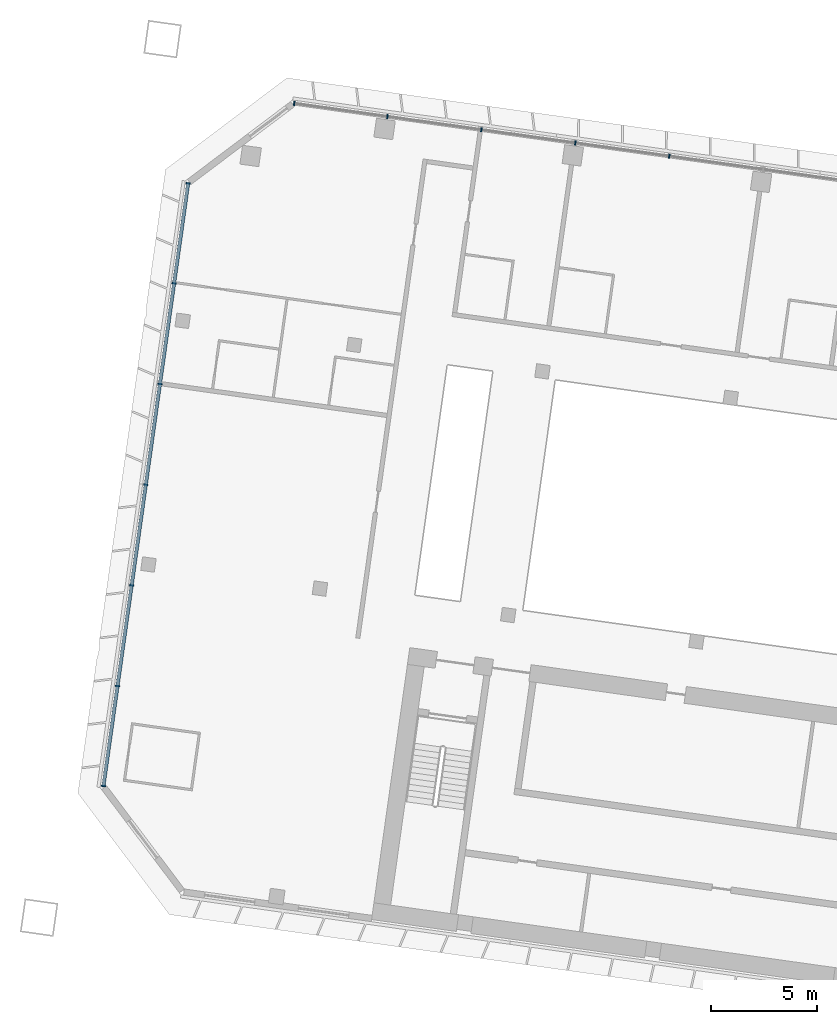
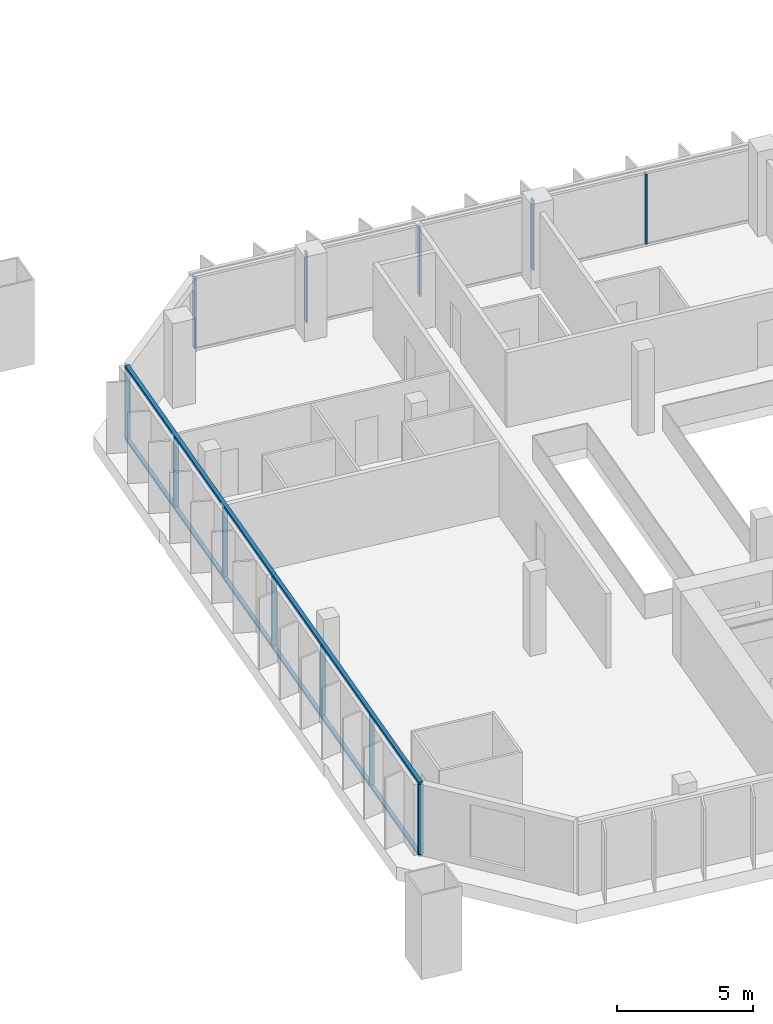
# One storey, part 2 of 25: 14 members, 2 elements without a shape of their own.
"""IFC4 building model written with IfcOpenShell, lengths in metres."""

from ifc_helpers import new_model, si_unit, direction, frame, origin, origin_2d, place, context, subcontext, project, spatial, rectangle, extrude, material, material_profile, profile_set, type_object, element, aggregate, save


model = new_model("IFC4")

# Units and contexts
model_context = context("Model", 3, precision=1e-05, world=origin(), true_north=direction((0.0, 1.0)))
body_context = subcontext(model_context, "Body", "Model", "MODEL_VIEW")
ifc_project = project(units=[si_unit("LENGTHUNIT", "METRE"), si_unit("AREAUNIT", "SQUARE_METRE"), si_unit("VOLUMEUNIT", "CUBIC_METRE"), si_unit("PLANEANGLEUNIT", "RADIAN"), si_unit("MASSUNIT", "GRAM", prefix="KILO")], contexts=[model_context])

# Site, building, storey
site_placement = place(None, origin())
site = spatial("IfcSite", under=ifc_project, at=site_placement, CompositionType="ELEMENT")
building_placement = place(site_placement, origin())
building = spatial("IfcBuilding", under=site, at=building_placement, Name="Mirante Cascada Hotel Towers", CompositionType="ELEMENT")
storey_placement = place(building_placement, frame((0.0, 0.0, 129.1)))
storey = spatial("IfcBuildingStorey", under=building, at=storey_placement, Name="L29", CompositionType="ELEMENT", Elevation=129.1)

# Curtain wall, members
ifc_material_1 = material(Name="Aluminium mullion and transom frame with clear laminated glass", Category="aluminium")
curtain_wall_type_1 = type_object("IfcCurtainWallType", Name="Ribbon curtain wall ECW1", PredefinedType="NOTDEFINED", material=ifc_material_1)
curtain_wall_1_placement = place(storey_placement, origin())
curtain_wall_1 = element("IfcCurtainWall", 1, at=curtain_wall_1_placement, inside=storey, type_object=curtain_wall_type_1, Name="Front ribbon wall T1 L29", PredefinedType="NOTDEFINED")
ifc_material_2 = material(Name="Anodised aluminium extrusion", Category="aluminium")
ifc_material_profile_1 = material_profile(ifc_material_2, rectangle(XDim=0.2, YDim=0.065, at=origin_2d()), Name="ECW1 MULLION 65x200")
ifc_profile_set_1 = profile_set([ifc_material_profile_1], Name="Anodised aluminium extrusion")
member_type_1 = type_object("IfcMemberType", Name="ECW1 mullion 65x200", PredefinedType="MULLION", material=ifc_profile_set_1)
member_1_placement = place(storey_placement, frame((-94.126, 26.0476, 0.1), z_axis=(0.0, 0.0, 1.0), x_axis=(0.1391731, 0.9902681, 0.0)))
member_1 = element("IfcMember", 2, at=member_1_placement, type_object=member_type_1, Name="ECW1 mullion 1", PredefinedType="MULLION", context=body_context, shape_type="SweptSolid", body=[
    extrude(rectangle(XDim=0.2, YDim=0.065, at=origin_2d()), origin(), (0.0, 0.0, 1.0), 3.15),
])
member_2_placement = place(storey_placement, frame((-89.7107, 25.427, 0.1), z_axis=(0.0, 0.0, 1.0), x_axis=(0.1391731, 0.9902681, 0.0)))
member_2 = element("IfcMember", 3, at=member_2_placement, type_object=member_type_1, Name="ECW1 mullion 2", PredefinedType="MULLION", context=body_context, shape_type="SweptSolid", body=[
    extrude(rectangle(XDim=0.2, YDim=0.065, at=origin_2d()), origin(), (0.0, 0.0, 1.0), 3.15),
])
member_3_placement = place(storey_placement, frame((-85.2633, 24.802, 0.1), z_axis=(0.0, 0.0, 1.0), x_axis=(0.1391731, 0.9902681, 0.0)))
member_3 = element("IfcMember", 4, at=member_3_placement, type_object=member_type_1, Name="ECW1 mullion 3", PredefinedType="MULLION", context=body_context, shape_type="SweptSolid", body=[
    extrude(rectangle(XDim=0.2, YDim=0.065, at=origin_2d()), origin(), (0.0, 0.0, 1.0), 3.15),
])
member_4_placement = place(storey_placement, frame((-80.8159, 24.177, 0.1), z_axis=(0.0, 0.0, 1.0), x_axis=(0.1391731, 0.9902681, 0.0)))
member_4 = element("IfcMember", 5, at=member_4_placement, type_object=member_type_1, Name="ECW1 mullion 4", PredefinedType="MULLION", context=body_context, shape_type="SweptSolid", body=[
    extrude(rectangle(XDim=0.2, YDim=0.065, at=origin_2d()), origin(), (0.0, 0.0, 1.0), 3.15),
])
member_5_placement = place(storey_placement, frame((-76.3685, 23.5519, 0.1), z_axis=(0.0, 0.0, 1.0), x_axis=(0.1391731, 0.9902681, 0.0)))
member_5 = element("IfcMember", 6, at=member_5_placement, type_object=member_type_1, Name="ECW1 mullion 5", PredefinedType="MULLION", context=body_context, shape_type="SweptSolid", body=[
    extrude(rectangle(XDim=0.2, YDim=0.065, at=origin_2d()), origin(), (0.0, 0.0, 1.0), 3.15),
])
aggregate(curtain_wall_1, [member_1, member_2, member_3, member_4, member_5])

ifc_material_3 = material(Name="Aluminium mullion and transom frame with clear laminated glass", Category="aluminium")
curtain_wall_type_2 = type_object("IfcCurtainWallType", Name="End ribbon curtain wall ECW2", PredefinedType="NOTDEFINED", material=ifc_material_3)
curtain_wall_2_placement = place(storey_placement, origin())
curtain_wall_2 = element("IfcCurtainWall", 7, at=curtain_wall_2_placement, inside=storey, type_object=curtain_wall_type_2, Name="Outer end wall T1 L29", PredefinedType="NOTDEFINED")
ifc_material_4 = material(Name="Anodised aluminium extrusion", Category="aluminium")
ifc_material_profile_2 = material_profile(ifc_material_4, rectangle(XDim=0.2, YDim=0.065, at=origin_2d()), Name="ECW2 MULLION 65x200")
ifc_profile_set_2 = profile_set([ifc_material_profile_2], Name="Anodised aluminium extrusion")
member_type_2 = type_object("IfcMemberType", Name="ECW2 mullion 65x200", PredefinedType="MULLION", material=ifc_profile_set_2)
member_6_placement = place(storey_placement, frame((-103.1556, -6.2656, 0.1), z_axis=(0.0, 0.0, 1.0), x_axis=(-0.9902681, 0.1391731, 0.0)))
member_6 = element("IfcMember", 8, at=member_6_placement, type_object=member_type_2, Name="ECW2 mullion 1", PredefinedType="MULLION", context=body_context, shape_type="SweptSolid", body=[
    extrude(rectangle(XDim=0.2, YDim=0.065, at=origin_2d()), origin(), (0.0, 0.0, 1.0), 3.15),
])
member_7_placement = place(storey_placement, frame((-102.4903, -1.532, 0.1), z_axis=(0.0, 0.0, 1.0), x_axis=(-0.9902681, 0.1391731, 0.0)))
member_7 = element("IfcMember", 9, at=member_7_placement, type_object=member_type_2, Name="ECW2 mullion 2", PredefinedType="MULLION", context=body_context, shape_type="SweptSolid", body=[
    extrude(rectangle(XDim=0.2, YDim=0.065, at=origin_2d()), origin(), (0.0, 0.0, 1.0), 3.15),
])
member_8_placement = place(storey_placement, frame((-101.8205, 3.2338, 0.1), z_axis=(0.0, 0.0, 1.0), x_axis=(-0.9902681, 0.1391731, 0.0)))
member_8 = element("IfcMember", 10, at=member_8_placement, type_object=member_type_2, Name="ECW2 mullion 3", PredefinedType="MULLION", context=body_context, shape_type="SweptSolid", body=[
    extrude(rectangle(XDim=0.2, YDim=0.065, at=origin_2d()), origin(), (0.0, 0.0, 1.0), 3.15),
])
member_9_placement = place(storey_placement, frame((-101.1508, 7.9996, 0.1), z_axis=(0.0, 0.0, 1.0), x_axis=(-0.9902681, 0.1391731, 0.0)))
member_9 = element("IfcMember", 11, at=member_9_placement, type_object=member_type_2, Name="ECW2 mullion 4", PredefinedType="MULLION", context=body_context, shape_type="SweptSolid", body=[
    extrude(rectangle(XDim=0.2, YDim=0.065, at=origin_2d()), origin(), (0.0, 0.0, 1.0), 3.15),
])
member_10_placement = place(storey_placement, frame((-100.481, 12.7654, 0.1), z_axis=(0.0, 0.0, 1.0), x_axis=(-0.9902681, 0.1391731, 0.0)))
member_10 = element("IfcMember", 12, at=member_10_placement, type_object=member_type_2, Name="ECW2 mullion 5", PredefinedType="MULLION", context=body_context, shape_type="SweptSolid", body=[
    extrude(rectangle(XDim=0.2, YDim=0.065, at=origin_2d()), origin(), (0.0, 0.0, 1.0), 3.15),
])
member_11_placement = place(storey_placement, frame((-99.8112, 17.5312, 0.1), z_axis=(0.0, 0.0, 1.0), x_axis=(-0.9902681, 0.1391731, 0.0)))
member_11 = element("IfcMember", 13, at=member_11_placement, type_object=member_type_2, Name="ECW2 mullion 6", PredefinedType="MULLION", context=body_context, shape_type="SweptSolid", body=[
    extrude(rectangle(XDim=0.2, YDim=0.065, at=origin_2d()), origin(), (0.0, 0.0, 1.0), 3.15),
])
member_12_placement = place(storey_placement, frame((-99.1459, 22.2648, 0.1), z_axis=(0.0, 0.0, 1.0), x_axis=(-0.9902681, 0.1391731, 0.0)))
member_12 = element("IfcMember", 14, at=member_12_placement, type_object=member_type_2, Name="ECW2 mullion 7", PredefinedType="MULLION", context=body_context, shape_type="SweptSolid", body=[
    extrude(rectangle(XDim=0.2, YDim=0.065, at=origin_2d()), origin(), (0.0, 0.0, 1.0), 3.15),
])
ifc_material_5 = material(Name="Anodised aluminium extrusion", Category="aluminium")
ifc_material_profile_3 = material_profile(ifc_material_5, rectangle(XDim=0.16, YDim=0.1, at=origin_2d()), Name="ECW2 TRANSOM 100x160")
ifc_profile_set_3 = profile_set([ifc_material_profile_3], Name="Anodised aluminium extrusion")
member_type_3 = type_object("IfcMemberType", Name="ECW2 transom 100x160", PredefinedType="USERDEFINED", material=ifc_profile_set_3)
member_13_placement = place(storey_placement, frame((-103.1601, -6.2978, 0.05), z_axis=(0.1391723, 0.9902682, 0.0), x_axis=(-0.9902682, 0.1391723, 0.0)))
member_13 = element("IfcMember", 15, at=member_13_placement, type_object=member_type_3, Name="ECW2 sill transom", ObjectType="TRANSOM", PredefinedType="USERDEFINED", context=body_context, shape_type="SweptSolid", body=[
    extrude(rectangle(XDim=0.16, YDim=0.1, at=origin_2d()), origin(), (0.0, 0.0, 1.0), 28.8757),
])
member_14_placement = place(storey_placement, frame((-103.1601, -6.2978, 3.3), z_axis=(0.1391723, 0.9902682, 0.0), x_axis=(-0.9902682, 0.1391723, 0.0)))
member_14 = element("IfcMember", 16, at=member_14_placement, type_object=member_type_3, Name="ECW2 head transom", ObjectType="TRANSOM", PredefinedType="USERDEFINED", context=body_context, shape_type="SweptSolid", body=[
    extrude(rectangle(XDim=0.16, YDim=0.1, at=origin_2d()), origin(), (0.0, 0.0, 1.0), 28.8757),
])
aggregate(curtain_wall_2, [member_13, member_14, member_6, member_7, member_8, member_9, member_10, member_11, member_12])

save(model, "model.ifc")
